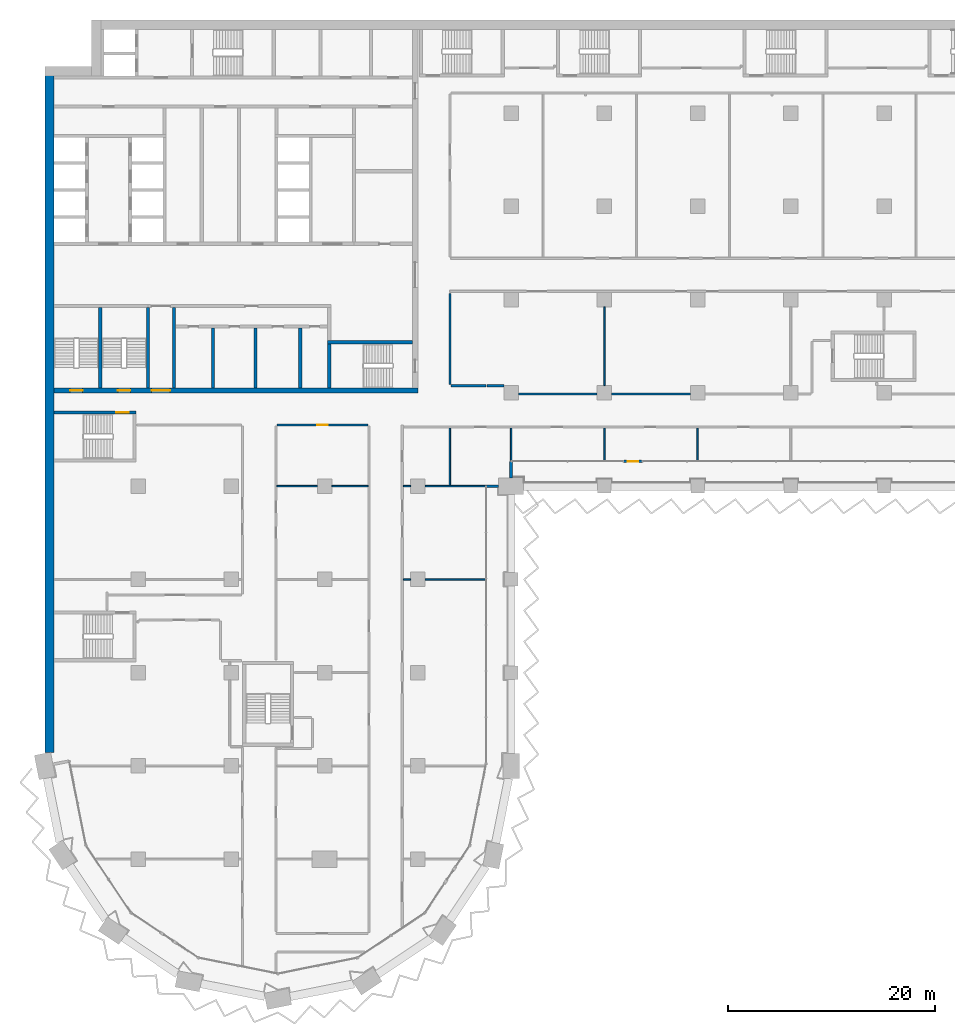
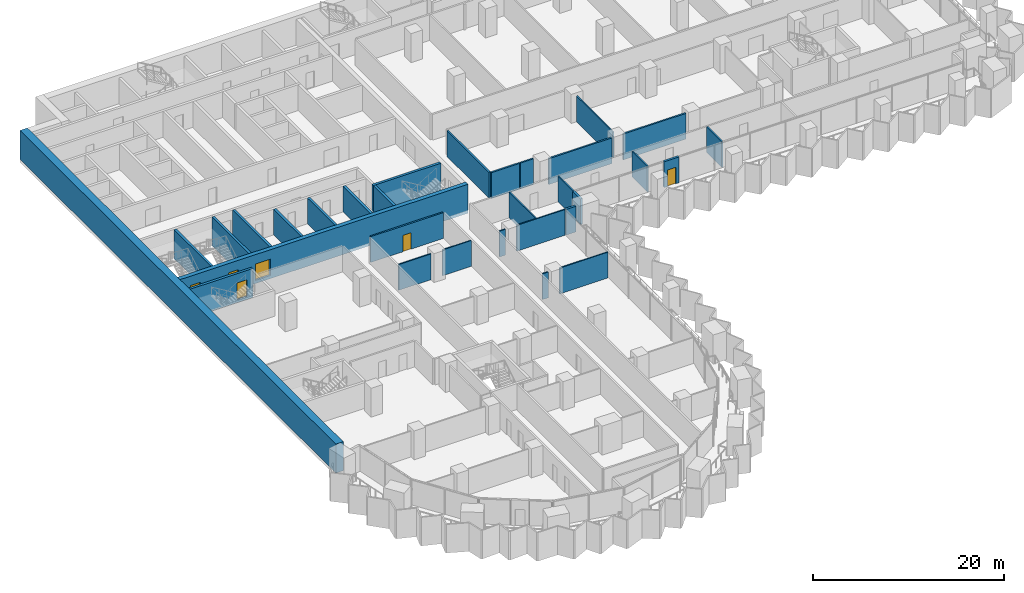
# One storey, part 12 of 29: 31 walls, 6 doors, 6 openings.
"""IFC4 building model written with IfcOpenShell, lengths in metres."""

from ifc_helpers import new_model, si_unit, direction, frame, frame_2d, origin, place, context, subcontext, project, spatial, rectangle, extrude, material, layer, layer_set, type_object, element, fill, save


model = new_model("IFC4")

# Units and contexts
model_context = context("Model", 3, precision=1e-05, world=origin(), true_north=direction((0.0, 1.0)))
body_context = subcontext(model_context, "Body", "Model", "MODEL_VIEW")
ifc_project = project(units=[si_unit("LENGTHUNIT", "METRE"), si_unit("AREAUNIT", "SQUARE_METRE"), si_unit("VOLUMEUNIT", "CUBIC_METRE"), si_unit("PLANEANGLEUNIT", "RADIAN"), si_unit("MASSUNIT", "GRAM", prefix="KILO")], contexts=[model_context])

# Site, building, storey
site_placement = place(None, origin())
site = spatial("IfcSite", under=ifc_project, at=site_placement, CompositionType="ELEMENT")
building_placement = place(site_placement, origin())
building = spatial("IfcBuilding", under=site, at=building_placement, Name="Hunhe Ridgeline Campus", CompositionType="ELEMENT")
storey_placement = place(building_placement, frame((0.0, 0.0, 54.300048828125)))
storey = spatial("IfcBuildingStorey", under=building, at=storey_placement, Name="L12", CompositionType="ELEMENT", Elevation=54.300048828125)

# Walls
ifc_material_1 = material(Name="Masonry concrete blockwork", Category="masonry")
ifc_layer_1 = layer(ifc_material_1, 0.300048828125)
ifc_layer_set_1 = layer_set([ifc_layer_1], Name="Core room partition 300 concrete block")
wall_type_1 = type_object("IfcWallType", Name="Core room partition 300 concrete block", PredefinedType="PARTITIONING", material=ifc_layer_set_1)
wall_1_placement = place(storey_placement, frame((12.449951171875, 63.5, 0.0), z_axis=(0.0, 0.0, 1.0), x_axis=(0.0, 1.0, 0.0)))
element("IfcWall", 1, at=wall_1_placement, inside=storey, type_object=wall_type_1, Name="L12 core partition 45", PredefinedType="PARTITIONING", context=body_context, shape_type="SweptSolid", body=[
    extrude(rectangle(XDim=7.75, YDim=0.300048828125, at=frame_2d((3.875, 0.0))), origin(), (0.0, 0.0, 1.0), 3.300048828125),
])
for number, where, z_axis, x_axis, name in (
    (2, (16.25, 63.5, 0.0), (0.0, 0.0, 1.0), (0.0, 1.0, 0.0), "L12 core partition 48"),
    (3, (20.35009765625, 63.5, 0.0), (0.0, 0.0, 1.0), (0.0, 1.0, 0.0), "L12 core partition 51"),
    (4, (24.64990234375, 63.5, 0.0), (0.0, 0.0, 1.0), (0.0, 1.0, 0.0), "L12 core partition 56"),
):
    element("IfcWall", number, at=place(storey_placement, frame(where, z_axis=z_axis, x_axis=x_axis)), inside=storey, type_object=wall_type_1, Name=name, PredefinedType="PARTITIONING", context=body_context, shape_type="SweptSolid", body=[
        extrude(rectangle(XDim=5.75, YDim=0.300048828125, at=frame_2d((2.875, 0.0))), origin(), (0.0, 0.0, 1.0), 3.300048828125),
    ])

# Wall, openings, doors
ifc_material_2 = material(Name="Concrete C80", Category="concrete")
ifc_layer_2 = layer(ifc_material_2, 0.5)
ifc_layer_set_2 = layer_set([ifc_layer_2], Name="Core wall 500 reinforced concrete C80")
wall_type_2 = type_object("IfcWallType", Name="Core wall 500 reinforced concrete C80", PredefinedType="SOLIDWALL", material=ifc_layer_set_2)
wall_2_placement = place(storey_placement, frame((0.89990234375, 63.25, -0.400146484375), z_axis=(0.0, 0.0, 1.0), x_axis=(1.0, 0.0, 0.0)))
wall_2 = element("IfcWall", 5, at=wall_2_placement, inside=storey, type_object=wall_type_2, Name="L12 core wall 7", PredefinedType="SOLIDWALL", context=body_context, shape_type="SweptSolid", body=[
    extrude(rectangle(XDim=35.10009765625, YDim=0.5, at=frame_2d((17.550048828125, 0.0))), origin(), (0.0, 0.0, 1.0), 3.7001953125),
])
opening_1_placement = place(wall_2_placement, frame((9.39990234375, 0.0, 0.39990234375)))
opening_1 = element("IfcOpeningElement", 6, at=opening_1_placement, cuts=wall_2, Name="Opening CD6", PredefinedType="OPENING", context=body_context, shape_type="SweptSolid", body=[
    extrude(rectangle(XDim=1.800048828125, YDim=2.10009765625, at=frame_2d((0.89990234375, 1.050048828125))), frame((0.0, 0.25, 0.0), z_axis=(0.0, -1.0, 0.0), x_axis=(1.0, 0.0, 0.0)), (0.0, 0.0, 1.0), 0.5),
])
opening_2_placement = place(wall_2_placement, frame((1.550048828125, 0.0, 0.39990234375)))
opening_2 = element("IfcOpeningElement", 7, at=opening_2_placement, cuts=wall_2, Name="Opening CD13", PredefinedType="OPENING", context=body_context, shape_type="SweptSolid", body=[
    extrude(rectangle(XDim=1.199951171875, YDim=2.10009765625, at=frame_2d((0.60009765625, 1.050048828125))), frame((0.0, 0.25, 0.0), z_axis=(0.0, -1.0, 0.0), x_axis=(1.0, 0.0, 0.0)), (0.0, 0.0, 1.0), 0.5),
])
opening_3_placement = place(wall_2_placement, frame((6.14990234375, 0.0, 0.39990234375)))
opening_3 = element("IfcOpeningElement", 8, at=opening_3_placement, cuts=wall_2, Name="Opening CD14", PredefinedType="OPENING", context=body_context, shape_type="SweptSolid", body=[
    extrude(rectangle(XDim=1.199951171875, YDim=2.10009765625, at=frame_2d((0.60009765625, 1.050048828125))), frame((0.0, 0.25, 0.0), z_axis=(0.0, -1.0, 0.0), x_axis=(1.0, 0.0, 0.0)), (0.0, 0.0, 1.0), 0.5),
])
ifc_material_3 = material(Name="Anodised aluminium and glass", Category="aluminium")
door_type_1 = type_object("IfcDoorType", Name="Glazed double door 1800x2100", OperationType="DOUBLE_DOOR_SINGLE_SWING", PredefinedType="DOOR", material=ifc_material_3)
door_1_placement = place(opening_1_placement, frame((1.800048828125, 0.0, 0.0), z_axis=(0.0, 0.0, 1.0), x_axis=(-1.0, 0.0, 0.0)))
door_1 = element("IfcDoor", 9, at=door_1_placement, inside=storey, type_object=door_type_1, Name="L12 door VEST-FLOOR", OperationType="DOUBLE_DOOR_SINGLE_SWING", OverallHeight=2.10009765625, OverallWidth=1.800048828125, PredefinedType="DOOR", context=body_context, shape_type="SweptSolid", body=[
    extrude(rectangle(XDim=1.800048828125, YDim=2.10009765625, at=frame_2d((0.89990234375, 1.050048828125))), frame((0.0, 0.02490234375, 0.0), z_axis=(0.0, -1.0, 0.0), x_axis=(1.0, 0.0, 0.0)), (0.0, 0.0, 1.0), 0.050048828125),
])
fill(opening_1, door_1)
ifc_material_4 = material(Name="Hollow metal fire door leaf")
door_type_2 = type_object("IfcDoorType", Name="Stair door 1200x2100 FD60", OperationType="SINGLE_SWING_LEFT", PredefinedType="DOOR", material=ifc_material_4)
door_2_placement = place(opening_2_placement, frame((1.199951171875, 0.0, 0.0), z_axis=(0.0, 0.0, 1.0), x_axis=(-1.0, 0.0, 0.0)))
door_2 = element("IfcDoor", 10, at=door_2_placement, inside=storey, type_object=door_type_2, Name="L12 door S3", OperationType="SINGLE_SWING_RIGHT", OverallHeight=2.10009765625, OverallWidth=1.199951171875, PredefinedType="DOOR", context=body_context, shape_type="SweptSolid", body=[
    extrude(rectangle(XDim=1.199951171875, YDim=2.10009765625, at=frame_2d((0.60009765625, 1.050048828125))), frame((0.0, 0.02490234375, 0.0), z_axis=(0.0, -1.0, 0.0), x_axis=(1.0, 0.0, 0.0)), (0.0, 0.0, 1.0), 0.050048828125),
])
fill(opening_2, door_2)
door_3_placement = place(opening_3_placement, frame((1.199951171875, 0.0, 0.0), z_axis=(0.0, 0.0, 1.0), x_axis=(-1.0, 0.0, 0.0)))
door_3 = element("IfcDoor", 11, at=door_3_placement, inside=storey, type_object=door_type_2, Name="L12 door S4", OperationType="SINGLE_SWING_LEFT", OverallHeight=2.10009765625, OverallWidth=1.199951171875, PredefinedType="DOOR", context=body_context, shape_type="SweptSolid", body=[
    extrude(rectangle(XDim=1.199951171875, YDim=2.10009765625, at=frame_2d((0.60009765625, 1.050048828125))), frame((0.0, 0.02490234375, 0.0), z_axis=(0.0, -1.0, 0.0), x_axis=(1.0, 0.0, 0.0)), (0.0, 0.0, 1.0), 0.050048828125),
])
fill(opening_3, door_3)

# Walls
ifc_material_5 = material(Name="Concrete C30", Category="concrete")
ifc_layer_3 = layer(ifc_material_5, 0.25)
ifc_layer_set_3 = layer_set([ifc_layer_3], Name="Corner return wall 250 Concrete C30")
wall_type_3 = type_object("IfcWallType", Name="Corner return wall 250 Concrete C30", PredefinedType="SOLIDWALL", material=ifc_layer_set_3)
wall_3_placement = place(storey_placement, frame((42.59912109375, 54.0, 0.0), z_axis=(0.0, 0.0, 1.0), x_axis=(0.999999917344, 0.000406586671, 0.0)))
element("IfcWall", 12, at=wall_3_placement, inside=storey, type_object=wall_type_3, Name="Corner return wall 2", PredefinedType="SOLIDWALL", context=body_context, shape_type="SweptSolid", body=[
    extrude(rectangle(XDim=1.200927734375, YDim=0.25, at=frame_2d((0.6005859375, 0.0))), origin(), (0.0, 0.0, 1.0), 3.300048828125),
])
wall_4_placement = place(storey_placement, frame((44.999267578125, 54.800048828125, 0.0), z_axis=(0.0, 0.0, 1.0), x_axis=(0.000152508767, 0.999999988371, 0.0)))
element("IfcWall", 13, at=wall_4_placement, inside=storey, type_object=wall_type_3, Name="Corner return wall 3", PredefinedType="SOLIDWALL", context=body_context, shape_type="SweptSolid", body=[
    extrude(rectangle(XDim=1.600830078125, YDim=0.25, at=frame_2d((0.80029296875, 0.0))), origin(), (0.0, 0.0, 1.0), 3.300048828125),
])

# Wall, opening, door
ifc_material_6 = material(Name="Gypsum board partition")
ifc_layer_4 = layer(ifc_material_6, 0.199951171875)
ifc_layer_set_4 = layer_set([ifc_layer_4], Name="Corridor partition 200 gypsum board on steel studs")
wall_type_4 = type_object("IfcWallType", Name="Corridor partition 200 gypsum board on steel studs", PredefinedType="PARTITIONING", material=ifc_layer_set_4)
wall_5_placement = place(storey_placement, frame((31.199951171875, 59.89990234375, 0.0), z_axis=(0.0, 0.0, 1.0), x_axis=(-1.0, 0.0, 0.0)))
wall_5 = element("IfcWall", 14, at=wall_5_placement, inside=storey, type_object=wall_type_4, Name="F-L12-wall-039", PredefinedType="PARTITIONING", context=body_context, shape_type="SweptSolid", body=[
    extrude(rectangle(XDim=8.800048828125, YDim=0.199951171875, at=frame_2d((4.39990234375, 0.0))), origin(), (0.0, 0.0, 1.0), 3.300048828125),
])
opening_4_placement = place(wall_5_placement, frame((3.89990234375, 0.0, 0.0)))
opening_4 = element("IfcOpeningElement", 15, at=opening_4_placement, cuts=wall_5, Name="Opening RD1-028", PredefinedType="OPENING", context=body_context, shape_type="SweptSolid", body=[
    extrude(rectangle(XDim=1.0, YDim=2.10009765625, at=frame_2d((0.5, 1.050048828125))), frame((0.0, 0.10009765625, 0.0), z_axis=(0.0, -1.0, 0.0), x_axis=(1.0, 0.0, 0.0)), (0.0, 0.0, 1.0), 0.199951171875),
])
ifc_material_7 = material(Name="Timber door leaf", Category="wood")
door_type_3 = type_object("IfcDoorType", Name="Single fire door 1000x2100 timber FD60", OperationType="NOTDEFINED", PredefinedType="DOOR", material=ifc_material_7)
door_4_placement = place(opening_4_placement, origin())
door_4 = element("IfcDoor", 16, at=door_4_placement, inside=storey, type_object=door_type_3, Name="F-L12-door-028", OperationType="SINGLE_SWING_LEFT", OverallHeight=2.10009765625, OverallWidth=1.0, PredefinedType="DOOR", context=body_context, shape_type="SweptSolid", body=[
    extrude(rectangle(XDim=1.0, YDim=2.10009765625, at=frame_2d((0.5, 1.050048828125))), frame((0.0, 0.02490234375, 0.0), z_axis=(0.0, -1.0, 0.0), x_axis=(1.0, 0.0, 0.0)), (0.0, 0.0, 1.0), 0.050048828125),
])
fill(opening_4, door_4)

# Walls
for number, where, z_axis, x_axis, name in (
    (17, (45.699951171875, 62.89990234375, 0.0), (0.0, 0.0, 1.0), (1.0, 0.0, 0.0), "F-L12-wall-040"),
    (18, (54.699951171875, 62.89990234375, 0.0), (0.0, 0.0, 1.0), (1.0, 0.0, 0.0), "F-L12-wall-041"),
):
    element("IfcWall", number, at=place(storey_placement, frame(where, z_axis=z_axis, x_axis=x_axis)), inside=storey, type_object=wall_type_4, Name=name, PredefinedType="PARTITIONING", context=body_context, shape_type="SweptSolid", body=[
        extrude(rectangle(XDim=7.60009765625, YDim=0.199951171875, at=frame_2d((3.800048828125, 0.0))), origin(), (0.0, 0.0, 1.0), 3.300048828125),
    ])
wall_6_placement = place(storey_placement, frame((39.199951171875, 63.699951171875, 0.0), z_axis=(0.0, 0.0, 1.0), x_axis=(1.0, 0.0, 0.0)))
element("IfcWall", 19, at=wall_6_placement, inside=storey, type_object=wall_type_4, Name="F-L12-wall-046", PredefinedType="PARTITIONING", context=body_context, shape_type="SweptSolid", body=[
    extrude(rectangle(XDim=3.400146484375, YDim=0.199951171875, at=frame_2d((1.7001953125, 0.0))), origin(), (0.0, 0.0, 1.0), 3.300048828125),
])
wall_7_placement = place(storey_placement, frame((42.699951171875, 63.699951171875, 0.0), z_axis=(0.0, 0.0, 1.0), x_axis=(1.0, 0.0, 0.0)))
element("IfcWall", 20, at=wall_7_placement, inside=storey, type_object=wall_type_4, Name="F-L12-wall-047", PredefinedType="PARTITIONING", context=body_context, shape_type="SweptSolid", body=[
    extrude(rectangle(XDim=1.60009765625, YDim=0.199951171875, at=frame_2d((0.800048828125, 0.0))), origin(), (0.0, 0.0, 1.0), 3.300048828125),
])
wall_8_placement = place(storey_placement, frame((39.10009765625, 72.60888671875, 0.0), z_axis=(0.0, 0.0, 1.0), x_axis=(0.0, -1.0, 0.0)))
element("IfcWall", 21, at=wall_8_placement, inside=storey, type_object=wall_type_4, Name="F-L12-wall-069", PredefinedType="PARTITIONING", context=body_context, shape_type="SweptSolid", body=[
    extrude(rectangle(XDim=8.808837890625, YDim=0.199951171875, at=frame_2d((4.404296875, 0.0))), origin(), (0.0, 0.0, 1.0), 3.300048828125),
])

# Wall, opening, door
ifc_layer_5 = layer(ifc_material_5, 0.25)
ifc_layer_set_5 = layer_set([ifc_layer_5], Name="Loggia door pier wall 250 Concrete C30")
wall_type_5 = type_object("IfcWallType", Name="Loggia door pier wall 250 Concrete C30", PredefinedType="SOLIDWALL", material=ifc_layer_set_5)
wall_9_placement = place(storey_placement, frame((55.874267578125, 56.40087890625, 0.0), z_axis=(0.0, 0.0, 1.0), x_axis=(1.0, 0.0, 0.0)))
wall_9 = element("IfcWall", 22, at=wall_9_placement, inside=storey, type_object=wall_type_5, Name="Loggia door pier 3", PredefinedType="SOLIDWALL", context=body_context, shape_type="SweptSolid", body=[
    extrude(rectangle(XDim=1.800048828125, YDim=0.25, at=frame_2d((0.89990234375, 0.0))), origin(), (0.0, 0.0, 1.0), 3.300048828125),
])
opening_5_placement = place(wall_9_placement, frame((0.39990234375, 0.0, 0.0)))
opening_5 = element("IfcOpeningElement", 23, at=opening_5_placement, cuts=wall_9, Name="Opening BD106", PredefinedType="OPENING", context=body_context, shape_type="SweptSolid", body=[
    extrude(rectangle(XDim=1.0, YDim=2.10009765625, at=frame_2d((0.5, 1.050048828125))), frame((0.0, 0.125, 0.0), z_axis=(0.0, -1.0, 0.0), x_axis=(1.0, 0.0, 0.0)), (0.0, 0.0, 1.0), 0.25),
])
ifc_material_8 = material(Name="Aluminium 6063", Category="aluminium")
door_type_4 = type_object("IfcDoorType", Name="Loggia glazed door 1000x2100", OperationType="NOTDEFINED", PredefinedType="DOOR", material=ifc_material_8)
door_5_placement = place(opening_5_placement, frame((1.0, 0.0, 0.0), z_axis=(0.0, 0.0, 1.0), x_axis=(-1.0, 0.0, 0.0)))
door_5 = element("IfcDoor", 24, at=door_5_placement, inside=storey, type_object=door_type_4, Name="Loggia door BD106", OperationType="SINGLE_SWING_LEFT", OverallHeight=2.10009765625, OverallWidth=1.0, PredefinedType="DOOR", context=body_context, shape_type="SweptSolid", body=[
    extrude(rectangle(XDim=1.0, YDim=2.10009765625, at=frame_2d((0.5, 1.050048828125))), frame((0.0, 0.02490234375, 0.0), z_axis=(0.0, -1.0, 0.0), x_axis=(1.0, 0.0, 0.0)), (0.0, 0.0, 1.0), 0.050048828125),
])
fill(opening_5, door_5)

# Walls
ifc_layer_6 = layer(ifc_material_6, 0.14990234375)
ifc_layer_set_6 = layer_set([ifc_layer_6], Name="Room partition 150 gypsum board on steel studs")
wall_type_6 = type_object("IfcWallType", Name="Room partition 150 gypsum board on steel studs", PredefinedType="PARTITIONING", material=ifc_layer_set_6)
wall_10_placement = place(storey_placement, frame((34.60009765625, 45.0, 0.0), z_axis=(0.0, 0.0, 1.0), x_axis=(1.0, 0.0, 0.0)))
element("IfcWall", 25, at=wall_10_placement, inside=storey, type_object=wall_type_6, Name="F-L12-wall-031", PredefinedType="PARTITIONING", context=body_context, shape_type="SweptSolid", body=[
    extrude(rectangle(XDim=0.699951171875, YDim=0.14990234375, at=frame_2d((0.35009765625, 0.0))), origin(), (0.0, 0.0, 1.0), 3.300048828125),
])
wall_11_placement = place(storey_placement, frame((36.699951171875, 45.0, 0.0), z_axis=(0.0, 0.0, 1.0), x_axis=(1.0, 0.0, 0.0)))
element("IfcWall", 26, at=wall_11_placement, inside=storey, type_object=wall_type_6, Name="F-L12-wall-032", PredefinedType="PARTITIONING", context=body_context, shape_type="SweptSolid", body=[
    extrude(rectangle(XDim=5.844970703125, YDim=0.14990234375, at=frame_2d((2.92236328125, 0.0))), origin(), (0.0, 0.0, 1.0), 3.300048828125),
])
wall_12_placement = place(storey_placement, frame((22.39990234375, 54.0, 0.0), z_axis=(0.0, 0.0, 1.0), x_axis=(1.0, 0.0, 0.0)))
element("IfcWall", 27, at=wall_12_placement, inside=storey, type_object=wall_type_6, Name="F-L12-wall-033", PredefinedType="PARTITIONING", context=body_context, shape_type="SweptSolid", body=[
    extrude(rectangle(XDim=3.900146484375, YDim=0.14990234375, at=frame_2d((1.9501953125, 0.0))), origin(), (0.0, 0.0, 1.0), 3.300048828125),
])
wall_13_placement = place(storey_placement, frame((27.699951171875, 54.0, 0.0), z_axis=(0.0, 0.0, 1.0), x_axis=(1.0, 0.0, 0.0)))
element("IfcWall", 28, at=wall_13_placement, inside=storey, type_object=wall_type_6, Name="F-L12-wall-034", PredefinedType="PARTITIONING", context=body_context, shape_type="SweptSolid", body=[
    extrude(rectangle(XDim=3.5, YDim=0.14990234375, at=frame_2d((1.75, 0.0))), origin(), (0.0, 0.0, 1.0), 3.300048828125),
])
wall_14_placement = place(storey_placement, frame((34.60009765625, 54.0, 0.0), z_axis=(0.0, 0.0, 1.0), x_axis=(1.0, 0.0, 0.0)))
element("IfcWall", 29, at=wall_14_placement, inside=storey, type_object=wall_type_6, Name="F-L12-wall-035", PredefinedType="PARTITIONING", context=body_context, shape_type="SweptSolid", body=[
    extrude(rectangle(XDim=0.699951171875, YDim=0.14990234375, at=frame_2d((0.35009765625, 0.0))), origin(), (0.0, 0.0, 1.0), 3.300048828125),
])
wall_15_placement = place(storey_placement, frame((36.699951171875, 54.0, 0.0), z_axis=(0.0, 0.0, 1.0), x_axis=(1.0, 0.0, 0.0)))
element("IfcWall", 30, at=wall_15_placement, inside=storey, type_object=wall_type_6, Name="F-L12-wall-036", PredefinedType="PARTITIONING", context=body_context, shape_type="SweptSolid", body=[
    extrude(rectangle(XDim=5.844970703125, YDim=0.14990234375, at=frame_2d((2.92236328125, 0.0))), origin(), (0.0, 0.0, 1.0), 3.300048828125),
])
wall_16_placement = place(storey_placement, frame((39.10009765625, 59.60009765625, 0.0), z_axis=(0.0, 0.0, 1.0), x_axis=(0.0, -1.0, 0.0)))
element("IfcWall", 31, at=wall_16_placement, inside=storey, type_object=wall_type_6, Name="F-L12-wall-068", PredefinedType="PARTITIONING", context=body_context, shape_type="SweptSolid", body=[
    extrude(rectangle(XDim=5.525146484375, YDim=0.14990234375, at=frame_2d((2.7626953125, 0.0))), origin(), (0.0, 0.0, 1.0), 3.300048828125),
])
for number, where, z_axis, x_axis, name in (
    (32, (45.0, 59.60009765625, 0.0), (0.0, 0.0, 1.0), (0.0, -1.0, 0.0), "F-L12-wall-071"),
    (33, (54.0, 59.60009765625, 0.0), (0.0, 0.0, 1.0), (0.0, -1.0, 0.0), "F-L12-wall-075"),
):
    element("IfcWall", number, at=place(storey_placement, frame(where, z_axis=z_axis, x_axis=x_axis)), inside=storey, type_object=wall_type_6, Name=name, PredefinedType="PARTITIONING", context=body_context, shape_type="SweptSolid", body=[
        extrude(rectangle(XDim=3.145263671875, YDim=0.14990234375, at=frame_2d((1.57275390625, 0.0))), origin(), (0.0, 0.0, 1.0), 3.300048828125),
    ])
wall_17_placement = place(storey_placement, frame((54.0, 71.300048828125, 0.0), z_axis=(0.0, 0.0, 1.0), x_axis=(0.0, -1.0, 0.0)))
element("IfcWall", 34, at=wall_17_placement, inside=storey, type_object=wall_type_6, Name="F-L12-wall-076", PredefinedType="PARTITIONING", context=body_context, shape_type="SweptSolid", body=[
    extrude(rectangle(XDim=7.60009765625, YDim=0.14990234375, at=frame_2d((3.800048828125, 0.0))), origin(), (0.0, 0.0, 1.0), 3.300048828125),
])
wall_18_placement = place(storey_placement, frame((63.0, 59.60009765625, 0.0), z_axis=(0.0, 0.0, 1.0), x_axis=(0.0, -1.0, 0.0)))
element("IfcWall", 35, at=wall_18_placement, inside=storey, type_object=wall_type_6, Name="F-L12-wall-078", PredefinedType="PARTITIONING", context=body_context, shape_type="SweptSolid", body=[
    extrude(rectangle(XDim=3.145263671875, YDim=0.14990234375, at=frame_2d((1.57275390625, 0.0))), origin(), (0.0, 0.0, 1.0), 3.300048828125),
])
ifc_layer_7 = layer(ifc_material_2, 0.89990234375)
ifc_layer_set_7 = layer_set([ifc_layer_7], Name="Spine wall 900 Concrete C80")
wall_type_7 = type_object("IfcWallType", Name="Spine wall 900 Concrete C80", PredefinedType="SHEAR", material=ifc_layer_set_7)
wall_19_placement = place(storey_placement, frame((0.449951171875, 94.5, 0.0), z_axis=(0.0, 0.0, 1.0), x_axis=(0.0, -1.0, 0.0)))
element("IfcWall", 36, at=wall_19_placement, inside=storey, type_object=wall_type_7, Name="Spine wall SW1-1 L12", PredefinedType="SHEAR", context=body_context, shape_type="SweptSolid", body=[
    extrude(rectangle(XDim=66.18701171875, YDim=0.89990234375, at=frame_2d((33.093505859375, 0.0))), origin(), (0.0, 0.0, 1.0), 3.699951171875),
])

# Wall, opening, door
ifc_layer_8 = layer(ifc_material_2, 0.300048828125)
ifc_layer_set_8 = layer_set([ifc_layer_8], Name="Stair wall 300 reinforced concrete C80")
wall_type_8 = type_object("IfcWallType", Name="Stair wall 300 reinforced concrete C80", PredefinedType="SOLIDWALL", material=ifc_layer_set_8)
wall_20_placement = place(storey_placement, frame((0.89990234375, 61.10009765625, -0.400146484375), z_axis=(0.0, 0.0, 1.0), x_axis=(1.0, 0.0, 0.0)))
wall_20 = element("IfcWall", 37, at=wall_20_placement, inside=storey, type_object=wall_type_8, Name="L12 core wall 6", PredefinedType="SOLIDWALL", context=body_context, shape_type="SweptSolid", body=[
    extrude(rectangle(XDim=7.900146484375, YDim=0.300048828125, at=frame_2d((3.9501953125, 0.0))), origin(), (0.0, 0.0, 1.0), 3.7001953125),
])
opening_6_placement = place(wall_20_placement, frame((6.0, 0.0, 0.39990234375)))
opening_6 = element("IfcOpeningElement", 38, at=opening_6_placement, cuts=wall_20, Name="Opening CD22", PredefinedType="OPENING", context=body_context, shape_type="SweptSolid", body=[
    extrude(rectangle(XDim=1.199951171875, YDim=2.10009765625, at=frame_2d((0.60009765625, 1.050048828125))), frame((0.0, 0.14990234375, 0.0), z_axis=(0.0, -1.0, 0.0), x_axis=(1.0, 0.0, 0.0)), (0.0, 0.0, 1.0), 0.300048828125),
])
door_6_placement = place(opening_6_placement, origin())
door_6 = element("IfcDoor", 39, at=door_6_placement, inside=storey, type_object=door_type_2, Name="L12 door W2", OperationType="SINGLE_SWING_RIGHT", OverallHeight=2.10009765625, OverallWidth=1.199951171875, PredefinedType="DOOR", context=body_context, shape_type="SweptSolid", body=[
    extrude(rectangle(XDim=1.199951171875, YDim=2.10009765625, at=frame_2d((0.60009765625, 1.050048828125))), frame((0.0, 0.02490234375, 0.0), z_axis=(0.0, -1.0, 0.0), x_axis=(1.0, 0.0, 0.0)), (0.0, 0.0, 1.0), 0.050048828125),
])
fill(opening_6, door_6)

# Walls
wall_21_placement = place(storey_placement, frame((27.300048828125, 67.89990234375, -0.400146484375), z_axis=(0.0, 0.0, 1.0), x_axis=(1.0, 0.0, 0.0)))
element("IfcWall", 40, at=wall_21_placement, inside=storey, type_object=wall_type_8, Name="L12 core wall 9", PredefinedType="SOLIDWALL", context=body_context, shape_type="SweptSolid", body=[
    extrude(rectangle(XDim=8.199951171875, YDim=0.300048828125, at=frame_2d((4.10009765625, 0.0))), origin(), (0.0, 0.0, 1.0), 3.7001953125),
])
for number, where, z_axis, x_axis, name in (
    (41, (5.35009765625, 63.5, -0.400146484375), (0.0, 0.0, 1.0), (0.0, 1.0, 0.0), "L12 core wall 36"),
    (42, (9.949951171875, 63.5, -0.400146484375), (0.0, 0.0, 1.0), (0.0, 1.0, 0.0), "L12 core wall 42"),
):
    element("IfcWall", number, at=place(storey_placement, frame(where, z_axis=z_axis, x_axis=x_axis)), inside=storey, type_object=wall_type_8, Name=name, PredefinedType="SOLIDWALL", context=body_context, shape_type="SweptSolid", body=[
        extrude(rectangle(XDim=7.75, YDim=0.300048828125, at=frame_2d((3.875, 0.0))), origin(), (0.0, 0.0, 1.0), 3.7001953125),
    ])
wall_22_placement = place(storey_placement, frame((27.449951171875, 63.5, -0.400146484375), z_axis=(0.0, 0.0, 1.0), x_axis=(0.0, 1.0, 0.0)))
element("IfcWall", 43, at=wall_22_placement, inside=storey, type_object=wall_type_8, Name="L12 core wall 59", PredefinedType="SOLIDWALL", context=body_context, shape_type="SweptSolid", body=[
    extrude(rectangle(XDim=4.25, YDim=0.300048828125, at=frame_2d((2.125, 0.0))), origin(), (0.0, 0.0, 1.0), 3.7001953125),
])

save(model, "model.ifc")
